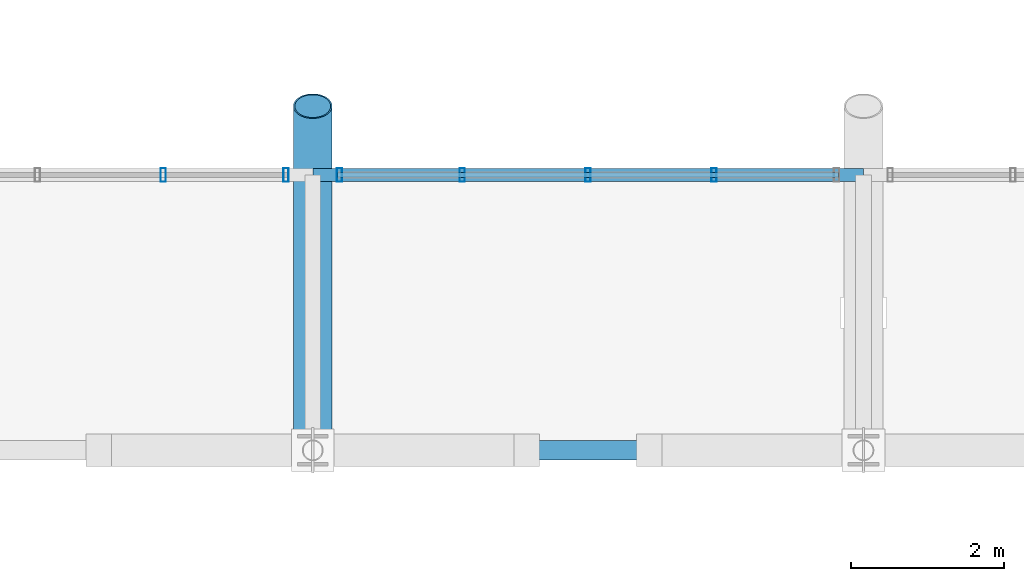
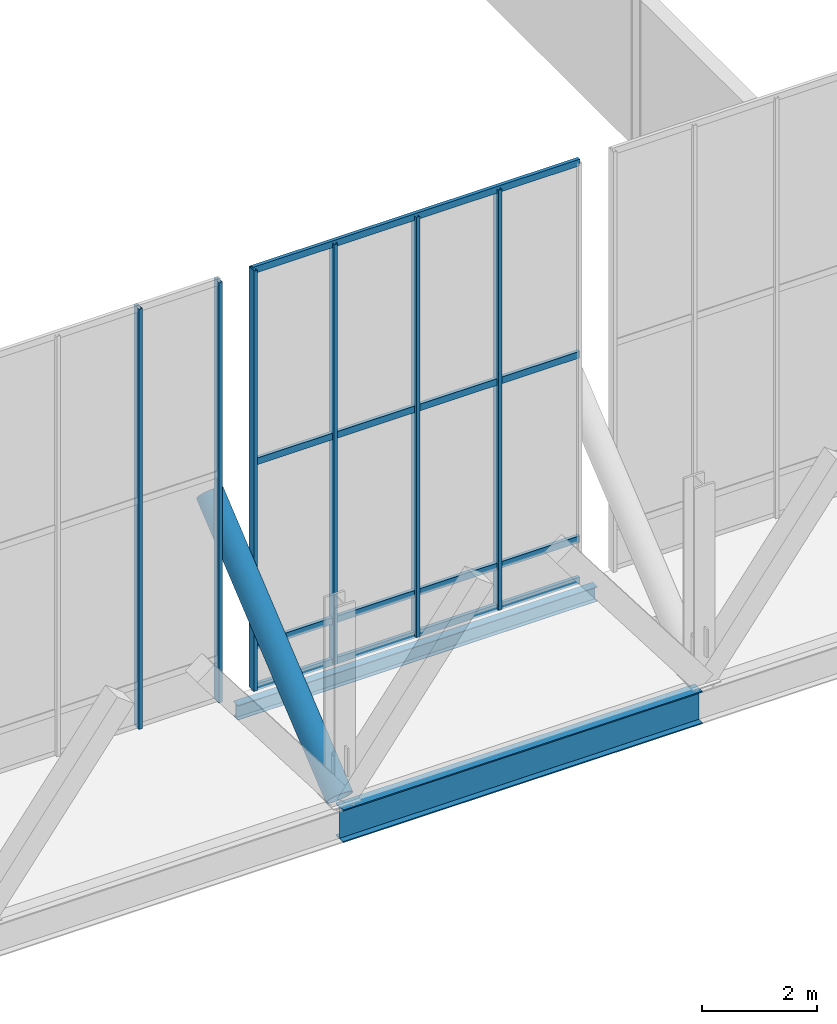
# One storey, part 33 of 102: 11 members, 2 beams, 2 elements without a shape of their own.
"""IFC4 building model written with IfcOpenShell, lengths in metres."""

from ifc_helpers import new_model, si_unit, direction, frame, origin, origin_2d, place, context, subcontext, project, spatial, hollow_rectangle, hollow_circle, i_section, extrude, material, material_profile, profile_set, type_object, element, aggregate, save


model = new_model("IFC4")

# Units and contexts
model_context = context("Model", 3, precision=1e-05, world=origin(), true_north=direction((0.0, 1.0)))
body_context = subcontext(model_context, "Body", "Model", "MODEL_VIEW")
ifc_project = project(units=[si_unit("LENGTHUNIT", "METRE"), si_unit("AREAUNIT", "SQUARE_METRE"), si_unit("VOLUMEUNIT", "CUBIC_METRE"), si_unit("PLANEANGLEUNIT", "RADIAN"), si_unit("MASSUNIT", "GRAM", prefix="KILO")], contexts=[model_context])

# Site, building, storey
site_placement = place(None, origin())
site = spatial("IfcSite", under=ifc_project, at=site_placement, CompositionType="ELEMENT")
building_placement = place(site_placement, origin())
building = spatial("IfcBuilding", under=site, at=building_placement, Name="Yarey Park Central Fire Station", CompositionType="ELEMENT")
storey_placement = place(building_placement, frame((0.0, 0.0, 6.0)))
storey = spatial("IfcBuildingStorey", under=building, at=storey_placement, Name="L02", CompositionType="ELEMENT", Elevation=6.0)

# Curtain wall, members
ifc_material_1 = material(Name="Anodized Aluminium Frame", Category="aluminium")
curtain_wall_type = type_object("IfcCurtainWallType", Name="ENV_CW_CLER_9M", PredefinedType="NOTDEFINED", material=ifc_material_1)
curtain_wall_1_placement = place(storey_placement, origin())
curtain_wall_1 = element("IfcCurtainWall", 1, at=curtain_wall_1_placement, inside=storey, type_object=curtain_wall_type, Name="CW_V2_CLER_S_09", PredefinedType="NOTDEFINED")
ifc_material_profile_1 = material_profile(ifc_material_1, hollow_rectangle(XDim=0.070068359375, YDim=0.179931640625, WallThickness=0.00390625, at=origin_2d()), Name="ALU 180x70x4")
ifc_profile_set_1 = profile_set([ifc_material_profile_1], Name="Anodized Aluminium Frame")
member_type_1 = type_object("IfcMemberType", Name="ENV_CW_MULLION", PredefinedType="MULLION", material=ifc_profile_set_1)
member_1_placement = place(storey_placement, frame((120.445068359375, 61.199951171875, 0.0), z_axis=(0.0, 0.0, 1.0), x_axis=(1.0, 0.0, 0.0)))
member_1 = element("IfcMember", 2, at=member_1_placement, type_object=member_type_1, Name="CW_V2_CLER_S_09_MUL4", PredefinedType="MULLION", context=body_context, shape_type="SweptSolid", body=[
    extrude(hollow_rectangle(XDim=0.070068359375, YDim=0.179931640625, WallThickness=0.00390625, at=origin_2d()), origin(), (0.0, 0.0, 1.0), 8.89990234375),
])
member_2_placement = place(storey_placement, frame((122.050048828125, 61.199951171875, 0.0), z_axis=(0.0, 0.0, 1.0), x_axis=(1.0, 0.0, 0.0)))
member_2 = element("IfcMember", 3, at=member_2_placement, type_object=member_type_1, Name="CW_V2_CLER_S_09_MUL5", PredefinedType="MULLION", context=body_context, shape_type="SweptSolid", body=[
    extrude(hollow_rectangle(XDim=0.070068359375, YDim=0.179931640625, WallThickness=0.00390625, at=origin_2d()), origin(), (0.0, 0.0, 1.0), 8.89990234375),
])
aggregate(curtain_wall_1, [member_1, member_2])

curtain_wall_2_placement = place(storey_placement, origin())
curtain_wall_2 = element("IfcCurtainWall", 4, at=curtain_wall_2_placement, inside=storey, type_object=curtain_wall_type, Name="CW_V2_CLER_S_10", PredefinedType="NOTDEFINED")
member_3_placement = place(storey_placement, frame((122.75, 61.199951171875, 0.0), z_axis=(0.0, 0.0, 1.0), x_axis=(1.0, 0.0, 0.0)))
member_3 = element("IfcMember", 5, at=member_3_placement, type_object=member_type_1, Name="CW_V2_CLER_S_10_MUL1", PredefinedType="MULLION", context=body_context, shape_type="SweptSolid", body=[
    extrude(hollow_rectangle(XDim=0.070068359375, YDim=0.179931640625, WallThickness=0.00390625, at=origin_2d()), origin(), (0.0, 0.0, 1.0), 8.89990234375),
])
member_4_placement = place(storey_placement, frame((124.35498046875, 61.199951171875, 0.0), z_axis=(0.0, 0.0, 1.0), x_axis=(1.0, 0.0, 0.0)))
member_4 = element("IfcMember", 6, at=member_4_placement, type_object=member_type_1, Name="CW_V2_CLER_S_10_MUL2", PredefinedType="MULLION", context=body_context, shape_type="SweptSolid", body=[
    extrude(hollow_rectangle(XDim=0.070068359375, YDim=0.179931640625, WallThickness=0.00390625, at=origin_2d()), origin(), (0.0, 0.0, 1.0), 8.89990234375),
])
member_5_placement = place(storey_placement, frame((126.0, 61.199951171875, 0.0), z_axis=(0.0, 0.0, 1.0), x_axis=(1.0, 0.0, 0.0)))
member_5 = element("IfcMember", 7, at=member_5_placement, type_object=member_type_1, Name="CW_V2_CLER_S_10_MUL3", PredefinedType="MULLION", context=body_context, shape_type="SweptSolid", body=[
    extrude(hollow_rectangle(XDim=0.070068359375, YDim=0.179931640625, WallThickness=0.00390625, at=origin_2d()), origin(), (0.0, 0.0, 1.0), 8.89990234375),
])
member_6_placement = place(storey_placement, frame((127.64501953125, 61.199951171875, 0.0), z_axis=(0.0, 0.0, 1.0), x_axis=(1.0, 0.0, 0.0)))
member_6 = element("IfcMember", 8, at=member_6_placement, type_object=member_type_1, Name="CW_V2_CLER_S_10_MUL4", PredefinedType="MULLION", context=body_context, shape_type="SweptSolid", body=[
    extrude(hollow_rectangle(XDim=0.070068359375, YDim=0.179931640625, WallThickness=0.00390625, at=origin_2d()), origin(), (0.0, 0.0, 1.0), 8.89990234375),
])
ifc_material_profile_2 = material_profile(ifc_material_1, hollow_rectangle(XDim=0.070068359375, YDim=0.139892578125, WallThickness=0.00390625, at=origin_2d()), Name="ALU 140x70x4")
ifc_profile_set_2 = profile_set([ifc_material_profile_2], Name="Anodized Aluminium Frame")
member_type_2 = type_object("IfcMemberType", Name="ENV_CW_TRANSOM", PredefinedType="USERDEFINED", material=ifc_profile_set_2)
member_7_placement = place(storey_placement, frame((122.72509765625, 61.199951171875, 0.02490234375), z_axis=(1.0, 0.0, 0.0), x_axis=(0.0, 1.0, 0.0)))
member_7 = element("IfcMember", 9, at=member_7_placement, type_object=member_type_2, Name="CW_V2_CLER_S_10_TRN1", ObjectType="TRANSOM", PredefinedType="USERDEFINED", context=body_context, shape_type="SweptSolid", body=[
    extrude(hollow_rectangle(XDim=0.070068359375, YDim=0.139892578125, WallThickness=0.00390625, at=origin_2d()), origin(), (0.0, 0.0, 1.0), 6.5498046875),
])
member_8_placement = place(storey_placement, frame((122.72509765625, 61.199951171875, 0.89990234375), z_axis=(1.0, 0.0, 0.0), x_axis=(0.0, 1.0, 0.0)))
member_8 = element("IfcMember", 10, at=member_8_placement, type_object=member_type_2, Name="CW_V2_CLER_S_10_TRN2", ObjectType="TRANSOM", PredefinedType="USERDEFINED", context=body_context, shape_type="SweptSolid", body=[
    extrude(hollow_rectangle(XDim=0.070068359375, YDim=0.139892578125, WallThickness=0.00390625, at=origin_2d()), origin(), (0.0, 0.0, 1.0), 6.5498046875),
])
member_9_placement = place(storey_placement, frame((122.72509765625, 61.199951171875, 4.805908203125), z_axis=(1.0, 0.0, 0.0), x_axis=(0.0, 1.0, 0.0)))
member_9 = element("IfcMember", 11, at=member_9_placement, type_object=member_type_2, Name="CW_V2_CLER_S_10_TRN3", ObjectType="TRANSOM", PredefinedType="USERDEFINED", context=body_context, shape_type="SweptSolid", body=[
    extrude(hollow_rectangle(XDim=0.070068359375, YDim=0.139892578125, WallThickness=0.00390625, at=origin_2d()), origin(), (0.0, 0.0, 1.0), 6.5498046875),
])
member_10_placement = place(storey_placement, frame((122.72509765625, 61.199951171875, 8.875), z_axis=(1.0, 0.0, 0.0), x_axis=(0.0, 1.0, 0.0)))
member_10 = element("IfcMember", 12, at=member_10_placement, type_object=member_type_2, Name="CW_V2_CLER_S_10_TRN4", ObjectType="TRANSOM", PredefinedType="USERDEFINED", context=body_context, shape_type="SweptSolid", body=[
    extrude(hollow_rectangle(XDim=0.070068359375, YDim=0.139892578125, WallThickness=0.00390625, at=origin_2d()), origin(), (0.0, 0.0, 1.0), 6.5498046875),
])
aggregate(curtain_wall_2, [member_3, member_4, member_5, member_6, member_7, member_8, member_9, member_10])

# Beam
ifc_material_2 = material(Name="Steel ASTM A992 Gr. 50", Category="steel")
ifc_material_profile_3 = material_profile(ifc_material_2, i_section(OverallWidth=0.256103515625, OverallDepth=0.693115234375, WebThickness=0.014404296875, FlangeThickness=0.023681640625, at=origin_2d()), Name="W690x170")
ifc_profile_set_3 = profile_set([ifc_material_profile_3], Name="Steel ASTM A992 Gr. 50")
beam_type_1 = type_object("IfcBeamType", Name="STR_BM_W690", PredefinedType="BEAM", material=ifc_profile_set_3)
beam_1_placement = place(storey_placement, frame((122.39990234375, 57.60009765625, -0.54150390625), z_axis=(1.0, 0.0, 0.0), x_axis=(0.0, 1.0, 0.0)))
element("IfcBeam", 13, at=beam_1_placement, inside=storey, type_object=beam_type_1, Name="BMX L02 Y576 X1224", PredefinedType="BEAM", context=body_context, shape_type="SweptSolid", body=[
    extrude(i_section(OverallWidth=0.256103515625, OverallDepth=0.693115234375, WebThickness=0.014404296875, FlangeThickness=0.023681640625, at=origin_2d()), origin(), (0.0, 0.0, 1.0), 7.2001953125),
])

# Member
ifc_material_3 = material(Name="Steel ASTM A500 Gr. C", Category="steel")
ifc_material_profile_4 = material_profile(ifc_material_3, hollow_circle(Radius=0.25390625, WallThickness=0.02001953125, at=origin_2d()), Name="CHS 508x20")
ifc_profile_set_4 = profile_set([ifc_material_profile_4], Name="Steel ASTM A500 Gr. C")
member_type_3 = type_object("IfcMemberType", Name="STR_CHORD_CHS508", PredefinedType="CHORD", material=ifc_profile_set_4)
member_11_placement = place(storey_placement, frame((122.39990234375, 57.60009765625, 0.0), z_axis=(0.0, 0.770847459396, 0.637019775473), x_axis=(-1.0, 0.0, 0.0)))
element("IfcMember", 14, at=member_11_placement, inside=storey, type_object=member_type_3, Name="Arched Roof Truss ART_10 Bottom Chord 1", PredefinedType="CHORD", context=body_context, shape_type="SweptSolid", body=[
    extrude(hollow_circle(Radius=0.25390625, WallThickness=0.02001953125, at=origin_2d()), origin(), (0.0, 0.0, 1.0), 5.837646484375),
])

# Beam
ifc_material_profile_5 = material_profile(ifc_material_2, i_section(OverallWidth=0.1650390625, OverallDepth=0.31005859375, WebThickness=0.005859375, FlangeThickness=0.009765625, at=origin_2d()), Name="W310x39")
ifc_profile_set_5 = profile_set([ifc_material_profile_5], Name="Steel ASTM A992 Gr. 50")
beam_type_2 = type_object("IfcBeamType", Name="STR_SPN_W310", PredefinedType="SPANDREL", material=ifc_profile_set_5)
beam_2_placement = place(storey_placement, frame((122.39990234375, 61.199951171875, -0.35009765625), z_axis=(1.0, 0.0, 0.0), x_axis=(0.0, 1.0, 0.0)))
element("IfcBeam", 15, at=beam_2_placement, inside=storey, type_object=beam_type_2, Name="EAVE EDG S 09", PredefinedType="SPANDREL", context=body_context, shape_type="SweptSolid", body=[
    extrude(i_section(OverallWidth=0.1650390625, OverallDepth=0.31005859375, WebThickness=0.005859375, FlangeThickness=0.009765625, at=origin_2d()), origin(), (0.0, 0.0, 1.0), 7.2001953125),
])

save(model, "model.ifc")
